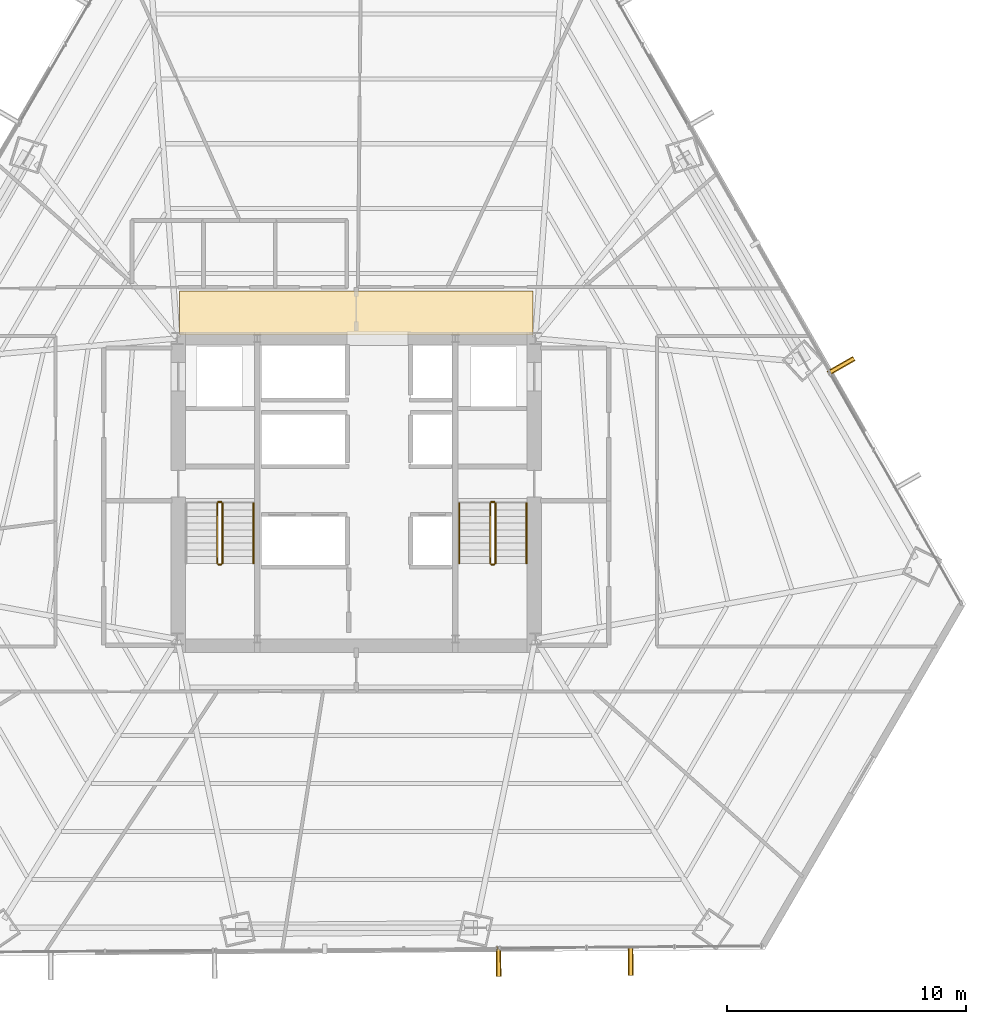
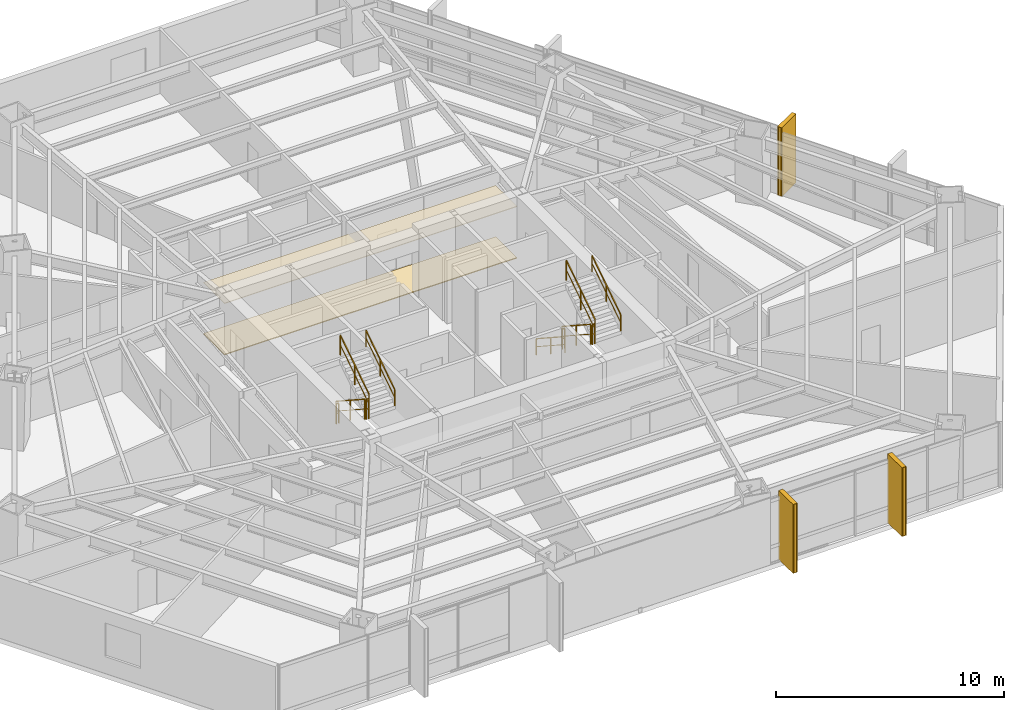
# One storey, part 33 of 34: 11 railings, 5 coverings, 3 shading devices.
"""IFC4 building model written with IfcOpenShell, lengths in metres."""

from ifc_helpers import new_model, si_unit, direction, frame, origin, origin_2d, place, context, subcontext, project, spatial, polyline, rectangle, outline, extrude, source, transform, mapped, material, layer, layer_set, type_object, type_shapes, element, save


model = new_model("IFC4")

# Units and contexts
model_context = context("Model", 3, precision=1e-05, world=origin(), true_north=direction((0.0, 1.0)))
body_context = subcontext(model_context, "Body", "Model", "MODEL_VIEW")
ifc_project = project(units=[si_unit("LENGTHUNIT", "METRE"), si_unit("AREAUNIT", "SQUARE_METRE"), si_unit("VOLUMEUNIT", "CUBIC_METRE"), si_unit("PLANEANGLEUNIT", "RADIAN"), si_unit("MASSUNIT", "GRAM", prefix="KILO")], contexts=[model_context])

# Site, building, storey
site_placement = place(None, origin())
site = spatial("IfcSite", under=ifc_project, at=site_placement, CompositionType="ELEMENT")
building_placement = place(site_placement, origin())
building = spatial("IfcBuilding", under=site, at=building_placement, Name="Caelisora Broadcast Tower", CompositionType="ELEMENT")
storey_placement = place(building_placement, frame((0.0, 0.0, 49.5)))
storey = spatial("IfcBuildingStorey", under=building, at=storey_placement, Name="L12", CompositionType="ELEMENT", Elevation=49.5)

# Coverings
ifc_material_1 = material(Name="Perforated Mineral-Fibre Acoustic Ceiling Tile", Category="gypsum")
ifc_layer_1 = layer(ifc_material_1, 0.034912109375, Name="Perforated Mineral-Fibre Acoustic Ceiling Tile")
ifc_layer_set_1 = layer_set([ifc_layer_1], Name="Perforated Mineral-Fibre Acoustic Ceiling Tile")
covering_type_1 = type_object("IfcCoveringType", Name="CE-1", PredefinedType="CEILING", material=ifc_layer_set_1)
covering_1_placement = place(storey_placement, frame((0.0, 0.0, 2.75)))
element("IfcCovering", 1, at=covering_1_placement, inside=storey, type_object=covering_type_1, Name="L12 acoustic corridor ceiling CE-1 (N)", PredefinedType="CEILING", context=body_context, shape_type="SweptSolid", body=[
    extrude(outline(polyline([(30.60009765625, 30.14990234375), (45.39990234375, 30.14990234375), (45.39990234375, 32.0), (30.60009765625, 32.0), (30.60009765625, 30.14990234375)])), origin(), (0.0, 0.0, 1.0), 0.034912109375),
])
ifc_material_2 = material(Name="Anti-Static Broadcast Raised Access Floor Panel", Category="steel")
ifc_layer_2 = layer(ifc_material_2, 0.044921875, Name="Anti-Static Broadcast Raised Access Floor Panel")
ifc_layer_set_2 = layer_set([ifc_layer_2], Name="Anti-Static Broadcast Raised Access Floor Panel")
covering_type_2 = type_object("IfcCoveringType", Name="FL-1", PredefinedType="FLOORING", material=ifc_layer_set_2)
covering_2_placement = place(storey_placement, origin())
element("IfcCovering", 2, at=covering_2_placement, inside=storey, type_object=covering_type_2, Name="L12 broadcast raised access floor FL-1 (N)", PredefinedType="FLOORING", context=body_context, shape_type="SweptSolid", body=[
    extrude(outline(polyline([(30.60009765625, 30.14990234375), (45.39990234375, 30.14990234375), (45.39990234375, 32.0), (30.60009765625, 32.0), (30.60009765625, 30.14990234375)])), origin(), (0.0, 0.0, 1.0), 0.044921875),
])

# Railings
ifc_material_3 = material(Name="Galvanised Steel Safety Guardrail", Category="steel")
ifc_layer_3 = layer(ifc_material_3, 0.048095703125, Name="Galvanised Steel Safety Guardrail")
ifc_layer_set_3 = layer_set([ifc_layer_3], Name="Galvanised Steel Safety Guardrail")
railing_type_1 = type_object("IfcRailingType", Name="GR-1", PredefinedType="GUARDRAIL", material=ifc_layer_set_3)
railing_1_placement = place(storey_placement, frame((32.169921875, 23.10009765625, 0.1826171875)))
element("IfcRailing", 3, at=railing_1_placement, inside=storey, type_object=railing_type_1, Name="L12 ST-1 stair guard 1", PredefinedType="GUARDRAIL", context=body_context, shape_type="SweptSolid", body=[
    extrude(rectangle(XDim=0.048095703125, YDim=0.048095703125, at=origin_2d()), frame((0.0, 0.0, 1.076171875), z_axis=(0.0, -0.837786554691, 0.545997883492), x_axis=(1.0, 0.0, 0.0)), (0.0, 0.0, 1.0), 3.008056640625),
    extrude(rectangle(XDim=0.03125, YDim=0.03125, at=origin_2d()), frame((0.0, 0.0, 0.550048828125), z_axis=(0.0, -0.837786554691, 0.545997883492), x_axis=(1.0, 0.0, 0.0)), (0.0, 0.0, 1.0), 3.008056640625),
    extrude(rectangle(XDim=0.0419921875, YDim=0.0419921875, at=origin_2d()), origin(), (0.0, 0.0, 1.0), 1.052001953125),
    extrude(rectangle(XDim=0.0419921875, YDim=0.0419921875, at=origin_2d()), frame((0.0, -1.260009765625, 0.8212890625)), (0.0, 0.0, 1.0), 1.052001953125),
    extrude(rectangle(XDim=0.0419921875, YDim=0.0419921875, at=origin_2d()), frame((0.0, -2.52001953125, 1.642333984375)), (0.0, 0.0, 1.0), 1.052001953125),
])
railing_2_placement = place(storey_placement, frame((32.219970703125, 20.530029296875, 1.824951171875)))
element("IfcRailing", 4, at=railing_2_placement, inside=storey, type_object=railing_type_1, Name="L12 ST-1 stair guard 2", PredefinedType="GUARDRAIL", context=body_context, shape_type="SweptSolid", body=[
    extrude(rectangle(XDim=0.048095703125, YDim=0.048095703125, at=origin_2d()), frame((0.0, 0.0, 1.076171875), z_axis=(1.0, 0.0, 0.0), x_axis=(0.0, 1.0, 0.0)), (0.0, 0.0, 1.0), 0.1201171875),
    extrude(rectangle(XDim=0.03125, YDim=0.03125, at=origin_2d()), frame((0.0, 0.0, 0.550048828125), z_axis=(1.0, 0.0, 0.0), x_axis=(0.0, 1.0, 0.0)), (0.0, 0.0, 1.0), 0.1201171875),
    extrude(rectangle(XDim=0.0419921875, YDim=0.0419921875, at=origin_2d()), origin(), (0.0, 0.0, 1.0), 1.052001953125),
    extrude(rectangle(XDim=0.0419921875, YDim=0.0419921875, at=origin_2d()), frame((0.1201171875, 0.0, 0.0)), (0.0, 0.0, 1.0), 1.052001953125),
])
railing_3_placement = place(storey_placement, frame((32.389892578125, 20.580078125, 2.007568359375)))
element("IfcRailing", 5, at=railing_3_placement, inside=storey, type_object=railing_type_1, Name="L12 ST-1 stair guard 3", PredefinedType="GUARDRAIL", context=body_context, shape_type="SweptSolid", body=[
    extrude(rectangle(XDim=0.048095703125, YDim=0.048095703125, at=origin_2d()), frame((0.0, 0.0, 1.076171875), z_axis=(0.0, 0.837786554691, 0.545997883492), x_axis=(-1.0, 0.0, 0.0)), (0.0, 0.0, 1.0), 3.008056640625),
    extrude(rectangle(XDim=0.03125, YDim=0.03125, at=origin_2d()), frame((0.0, 0.0, 0.550048828125), z_axis=(0.0, 0.837786554691, 0.545997883492), x_axis=(-1.0, 0.0, 0.0)), (0.0, 0.0, 1.0), 3.008056640625),
    extrude(rectangle(XDim=0.0419921875, YDim=0.0419921875, at=origin_2d()), origin(), (0.0, 0.0, 1.0), 1.052001953125),
    extrude(rectangle(XDim=0.0419921875, YDim=0.0419921875, at=origin_2d()), frame((0.0, 1.260009765625, 0.8212890625)), (0.0, 0.0, 1.0), 1.052001953125),
    extrude(rectangle(XDim=0.0419921875, YDim=0.0419921875, at=origin_2d()), frame((0.0, 2.52001953125, 1.642333984375)), (0.0, 0.0, 1.0), 1.052001953125),
])
railing_4_placement = place(storey_placement, frame((32.219970703125, 23.14990234375, 0.0)))
element("IfcRailing", 6, at=railing_4_placement, inside=storey, type_object=railing_type_1, Name="L12 ST-1 stair guard 4", PredefinedType="GUARDRAIL", context=body_context, shape_type="SweptSolid", body=[
    extrude(rectangle(XDim=0.048095703125, YDim=0.048095703125, at=origin_2d()), frame((0.0, 0.0, 1.076171875), z_axis=(1.0, 0.0, 0.0), x_axis=(0.0, 1.0, 0.0)), (0.0, 0.0, 1.0), 0.1201171875),
    extrude(rectangle(XDim=0.03125, YDim=0.03125, at=origin_2d()), frame((0.0, 0.0, 0.550048828125), z_axis=(1.0, 0.0, 0.0), x_axis=(0.0, 1.0, 0.0)), (0.0, 0.0, 1.0), 0.1201171875),
    extrude(rectangle(XDim=0.0419921875, YDim=0.0419921875, at=origin_2d()), origin(), (0.0, 0.0, 1.0), 1.052001953125),
    extrude(rectangle(XDim=0.0419921875, YDim=0.0419921875, at=origin_2d()), frame((0.1201171875, 0.0, 0.0)), (0.0, 0.0, 1.0), 1.052001953125),
])
railing_5_placement = place(storey_placement, frame((43.610107421875, 23.10009765625, 0.1826171875)))
element("IfcRailing", 7, at=railing_5_placement, inside=storey, type_object=railing_type_1, Name="L12 ST-2 stair guard 1", PredefinedType="GUARDRAIL", context=body_context, shape_type="SweptSolid", body=[
    extrude(rectangle(XDim=0.048095703125, YDim=0.048095703125, at=origin_2d()), frame((0.0, 0.0, 1.076171875), z_axis=(0.0, -0.837786554691, 0.545997883492), x_axis=(1.0, 0.0, 0.0)), (0.0, 0.0, 1.0), 3.008056640625),
    extrude(rectangle(XDim=0.03125, YDim=0.03125, at=origin_2d()), frame((0.0, 0.0, 0.550048828125), z_axis=(0.0, -0.837786554691, 0.545997883492), x_axis=(1.0, 0.0, 0.0)), (0.0, 0.0, 1.0), 3.008056640625),
    extrude(rectangle(XDim=0.0419921875, YDim=0.0419921875, at=origin_2d()), origin(), (0.0, 0.0, 1.0), 1.052001953125),
    extrude(rectangle(XDim=0.0419921875, YDim=0.0419921875, at=origin_2d()), frame((0.0, -1.260009765625, 0.8212890625)), (0.0, 0.0, 1.0), 1.052001953125),
    extrude(rectangle(XDim=0.0419921875, YDim=0.0419921875, at=origin_2d()), frame((0.0, -2.52001953125, 1.642333984375)), (0.0, 0.0, 1.0), 1.052001953125),
])
railing_6_placement = place(storey_placement, frame((43.659912109375, 20.530029296875, 1.824951171875)))
element("IfcRailing", 8, at=railing_6_placement, inside=storey, type_object=railing_type_1, Name="L12 ST-2 stair guard 2", PredefinedType="GUARDRAIL", context=body_context, shape_type="SweptSolid", body=[
    extrude(rectangle(XDim=0.048095703125, YDim=0.048095703125, at=origin_2d()), frame((0.0, 0.0, 1.076171875), z_axis=(1.0, 0.0, 0.0), x_axis=(0.0, 1.0, 0.0)), (0.0, 0.0, 1.0), 0.1201171875),
    extrude(rectangle(XDim=0.03125, YDim=0.03125, at=origin_2d()), frame((0.0, 0.0, 0.550048828125), z_axis=(1.0, 0.0, 0.0), x_axis=(0.0, 1.0, 0.0)), (0.0, 0.0, 1.0), 0.1201171875),
    extrude(rectangle(XDim=0.0419921875, YDim=0.0419921875, at=origin_2d()), origin(), (0.0, 0.0, 1.0), 1.052001953125),
    extrude(rectangle(XDim=0.0419921875, YDim=0.0419921875, at=origin_2d()), frame((0.1201171875, 0.0, 0.0)), (0.0, 0.0, 1.0), 1.052001953125),
])
railing_7_placement = place(storey_placement, frame((43.830078125, 20.580078125, 2.007568359375)))
element("IfcRailing", 9, at=railing_7_placement, inside=storey, type_object=railing_type_1, Name="L12 ST-2 stair guard 3", PredefinedType="GUARDRAIL", context=body_context, shape_type="SweptSolid", body=[
    extrude(rectangle(XDim=0.048095703125, YDim=0.048095703125, at=origin_2d()), frame((0.0, 0.0, 1.076171875), z_axis=(0.0, 0.837786554691, 0.545997883492), x_axis=(-1.0, 0.0, 0.0)), (0.0, 0.0, 1.0), 3.008056640625),
    extrude(rectangle(XDim=0.03125, YDim=0.03125, at=origin_2d()), frame((0.0, 0.0, 0.550048828125), z_axis=(0.0, 0.837786554691, 0.545997883492), x_axis=(-1.0, 0.0, 0.0)), (0.0, 0.0, 1.0), 3.008056640625),
    extrude(rectangle(XDim=0.0419921875, YDim=0.0419921875, at=origin_2d()), origin(), (0.0, 0.0, 1.0), 1.052001953125),
    extrude(rectangle(XDim=0.0419921875, YDim=0.0419921875, at=origin_2d()), frame((0.0, 1.260009765625, 0.8212890625)), (0.0, 0.0, 1.0), 1.052001953125),
    extrude(rectangle(XDim=0.0419921875, YDim=0.0419921875, at=origin_2d()), frame((0.0, 2.52001953125, 1.642333984375)), (0.0, 0.0, 1.0), 1.052001953125),
])
railing_8_placement = place(storey_placement, frame((43.659912109375, 23.14990234375, 0.0)))
element("IfcRailing", 10, at=railing_8_placement, inside=storey, type_object=railing_type_1, Name="L12 ST-2 stair guard 4", PredefinedType="GUARDRAIL", context=body_context, shape_type="SweptSolid", body=[
    extrude(rectangle(XDim=0.048095703125, YDim=0.048095703125, at=origin_2d()), frame((0.0, 0.0, 1.076171875), z_axis=(1.0, 0.0, 0.0), x_axis=(0.0, 1.0, 0.0)), (0.0, 0.0, 1.0), 0.1201171875),
    extrude(rectangle(XDim=0.03125, YDim=0.03125, at=origin_2d()), frame((0.0, 0.0, 0.550048828125), z_axis=(1.0, 0.0, 0.0), x_axis=(0.0, 1.0, 0.0)), (0.0, 0.0, 1.0), 0.1201171875),
    extrude(rectangle(XDim=0.0419921875, YDim=0.0419921875, at=origin_2d()), origin(), (0.0, 0.0, 1.0), 1.052001953125),
    extrude(rectangle(XDim=0.0419921875, YDim=0.0419921875, at=origin_2d()), frame((0.1201171875, 0.0, 0.0)), (0.0, 0.0, 1.0), 1.052001953125),
])
ifc_material_4 = material(Name="Stainless Steel Grade 316 Tubular Handrail", Category="steel")
ifc_layer_4 = layer(ifc_material_4, 0.048095703125, Name="Stainless Steel Grade 316 Tubular Handrail")
ifc_layer_set_4 = layer_set([ifc_layer_4], Name="Stainless Steel Grade 316 Tubular Handrail")
railing_type_2 = type_object("IfcRailingType", Name="HR-1", PredefinedType="HANDRAIL", material=ifc_layer_set_4)
railing_9_placement = place(storey_placement, frame((33.68994140625, 20.580078125, 2.007568359375)))
element("IfcRailing", 11, at=railing_9_placement, inside=storey, type_object=railing_type_2, Name="L12 ST-1 stair handrail 2", PredefinedType="HANDRAIL", context=body_context, shape_type="SweptSolid", body=[
    extrude(rectangle(XDim=0.048095703125, YDim=0.048095703125, at=origin_2d()), frame((0.0, 0.0, 0.8759765625), z_axis=(0.0, 0.837786554691, 0.545997883492), x_axis=(-1.0, 0.0, 0.0)), (0.0, 0.0, 1.0), 3.008056640625),
    extrude(rectangle(XDim=0.03125, YDim=0.03125, at=origin_2d()), frame((0.0, 0.0, 0.449951171875), z_axis=(0.0, 0.837786554691, 0.545997883492), x_axis=(-1.0, 0.0, 0.0)), (0.0, 0.0, 1.0), 3.008056640625),
    extrude(rectangle(XDim=0.0419921875, YDim=0.0419921875, at=origin_2d()), origin(), (0.0, 0.0, 1.0), 0.851806640625),
    extrude(rectangle(XDim=0.0419921875, YDim=0.0419921875, at=origin_2d()), frame((0.0, 1.260009765625, 0.8212890625)), (0.0, 0.0, 1.0), 0.851806640625),
    extrude(rectangle(XDim=0.0419921875, YDim=0.0419921875, at=origin_2d()), frame((0.0, 2.52001953125, 1.642333984375)), (0.0, 0.0, 1.0), 0.851806640625),
])
railing_10_placement = place(storey_placement, frame((42.31005859375, 23.10009765625, 0.1826171875)))
element("IfcRailing", 12, at=railing_10_placement, inside=storey, type_object=railing_type_2, Name="L12 ST-2 stair handrail 1", PredefinedType="HANDRAIL", context=body_context, shape_type="SweptSolid", body=[
    extrude(rectangle(XDim=0.048095703125, YDim=0.048095703125, at=origin_2d()), frame((0.0, 0.0, 0.8759765625), z_axis=(0.0, -0.837786554691, 0.545997883492), x_axis=(1.0, 0.0, 0.0)), (0.0, 0.0, 1.0), 3.008056640625),
    extrude(rectangle(XDim=0.03125, YDim=0.03125, at=origin_2d()), frame((0.0, 0.0, 0.449951171875), z_axis=(0.0, -0.837786554691, 0.545997883492), x_axis=(1.0, 0.0, 0.0)), (0.0, 0.0, 1.0), 3.008056640625),
    extrude(rectangle(XDim=0.0419921875, YDim=0.0419921875, at=origin_2d()), origin(), (0.0, 0.0, 1.0), 0.851806640625),
    extrude(rectangle(XDim=0.0419921875, YDim=0.0419921875, at=origin_2d()), frame((0.0, -1.260009765625, 0.8212890625)), (0.0, 0.0, 1.0), 0.851806640625),
    extrude(rectangle(XDim=0.0419921875, YDim=0.0419921875, at=origin_2d()), frame((0.0, -2.52001953125, 1.642333984375)), (0.0, 0.0, 1.0), 0.851806640625),
])
railing_11_placement = place(storey_placement, frame((45.1298828125, 20.580078125, 2.007568359375)))
element("IfcRailing", 13, at=railing_11_placement, inside=storey, type_object=railing_type_2, Name="L12 ST-2 stair handrail 2", PredefinedType="HANDRAIL", context=body_context, shape_type="SweptSolid", body=[
    extrude(rectangle(XDim=0.048095703125, YDim=0.048095703125, at=origin_2d()), frame((0.0, 0.0, 0.8759765625), z_axis=(0.0, 0.837786554691, 0.545997883492), x_axis=(-1.0, 0.0, 0.0)), (0.0, 0.0, 1.0), 3.008056640625),
    extrude(rectangle(XDim=0.03125, YDim=0.03125, at=origin_2d()), frame((0.0, 0.0, 0.449951171875), z_axis=(0.0, 0.837786554691, 0.545997883492), x_axis=(-1.0, 0.0, 0.0)), (0.0, 0.0, 1.0), 3.008056640625),
    extrude(rectangle(XDim=0.0419921875, YDim=0.0419921875, at=origin_2d()), origin(), (0.0, 0.0, 1.0), 0.851806640625),
    extrude(rectangle(XDim=0.0419921875, YDim=0.0419921875, at=origin_2d()), frame((0.0, 1.260009765625, 0.8212890625)), (0.0, 0.0, 1.0), 0.851806640625),
    extrude(rectangle(XDim=0.0419921875, YDim=0.0419921875, at=origin_2d()), frame((0.0, 2.52001953125, 1.642333984375)), (0.0, 0.0, 1.0), 0.851806640625),
])

# Coverings
ifc_material_5 = material(Name="Kiln-Fired Terracotta Spandrel Rainscreen Cladding", Category="ceramic")
ifc_layer_5 = layer(ifc_material_5, 0.044921875, Name="Kiln-Fired Terracotta Spandrel Rainscreen Cladding")
ifc_layer_set_5 = layer_set([ifc_layer_5], Name="Kiln-Fired Terracotta Spandrel Rainscreen Cladding")
covering_type_3 = type_object("IfcCoveringType", Name="CL-1", PredefinedType="CLADDING", material=ifc_layer_set_5)
shared_shape_1 = source(origin(), body_context, "Body", "SweptSolid", [
    extrude(rectangle(XDim=0.219970703125, YDim=1.25, at=origin_2d()), origin(), (0.0, 0.0, 1.0), 3.68994140625),
])
type_shapes(covering_type_3, [shared_shape_1])
for number, where, z_axis, x_axis, name in (
    (14, (58.313720703125, 28.850341796875, -0.02001953125), (0.0, 0.0, 1.0), (0.496064966839, -0.868285407383, 0.0), "L12 vertical solar fin cladding #1-3"),
    (15, (49.497314453125, 3.934326171875, -0.02001953125), (0.0, 0.0, 1.0), (-0.999969157645, -0.007853900889, 0.0), "L12 vertical solar fin cladding #2-1"),
    (16, (43.96142578125, 3.890869140625, -0.02001953125), (0.0, 0.0, 1.0), (-0.999969157645, -0.007853900889, 0.0), "L12 vertical solar fin cladding #2-2"),
):
    element("IfcCovering", number, at=place(storey_placement, frame(where, z_axis=z_axis, x_axis=x_axis)), inside=storey, type_object=covering_type_3, Name=name, PredefinedType="CLADDING", context=body_context, shape_type="MappedRepresentation", body=[
        mapped(shared_shape_1, transform((0.0, 0.0, 0.0), scale=1.0)),
    ])

# Shading devices
ifc_material_6 = material(Name="Extruded Terracotta Flaring Colonnade Fin", Category="ceramic")
ifc_layer_6 = layer(ifc_material_6, 0.139892578125, Name="Extruded Terracotta Flaring Colonnade Fin")
ifc_layer_set_6 = layer_set([ifc_layer_6], Name="Extruded Terracotta Flaring Colonnade Fin")
shading_device_type = type_object("IfcShadingDeviceType", Name="FN-1", PredefinedType="USERDEFINED", material=ifc_layer_set_6)
shared_shape_2 = source(origin(), body_context, "Body", "SweptSolid", [
    extrude(rectangle(XDim=0.139892578125, YDim=1.25, at=origin_2d()), origin(), (0.0, 0.0, 1.0), 3.669921875),
])
type_shapes(shading_device_type, [shared_shape_2])
for number, where, z_axis, x_axis, name in (
    (17, (58.313720703125, 28.850341796875, -0.010009765625), (0.0, 0.0, 1.0), (0.496064966839, -0.868285407383, 0.0), "L12 vertical terracotta fin #1-3"),
    (18, (49.497314453125, 3.934326171875, -0.010009765625), (0.0, 0.0, 1.0), (-0.999969157645, -0.007853900889, 0.0), "L12 vertical terracotta fin #2-1"),
    (19, (43.96142578125, 3.890869140625, -0.010009765625), (0.0, 0.0, 1.0), (-0.999969157645, -0.007853900889, 0.0), "L12 vertical terracotta fin #2-2"),
):
    element("IfcShadingDevice", number, at=place(storey_placement, frame(where, z_axis=z_axis, x_axis=x_axis)), inside=storey, type_object=shading_device_type, Name=name, ObjectType="FIN", PredefinedType="USERDEFINED", context=body_context, shape_type="MappedRepresentation", body=[
        mapped(shared_shape_2, transform((0.0, 0.0, 0.0), scale=1.0)),
    ])

save(model, "model.ifc")
